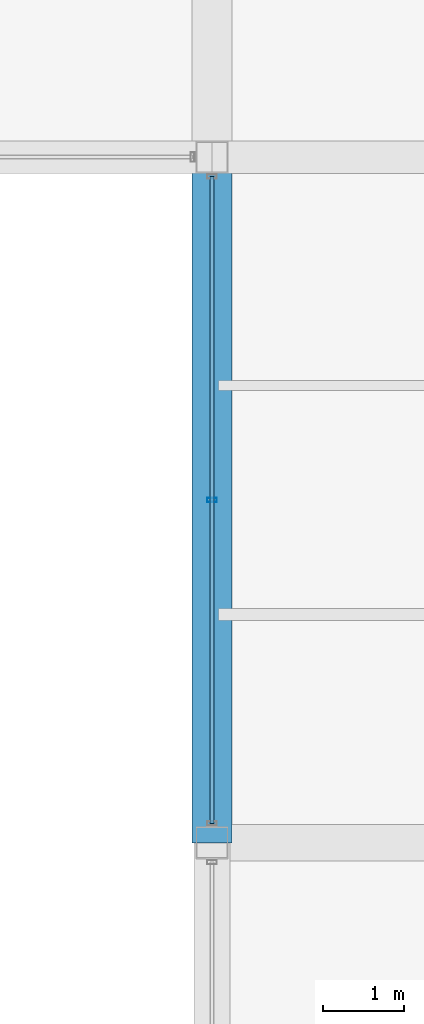
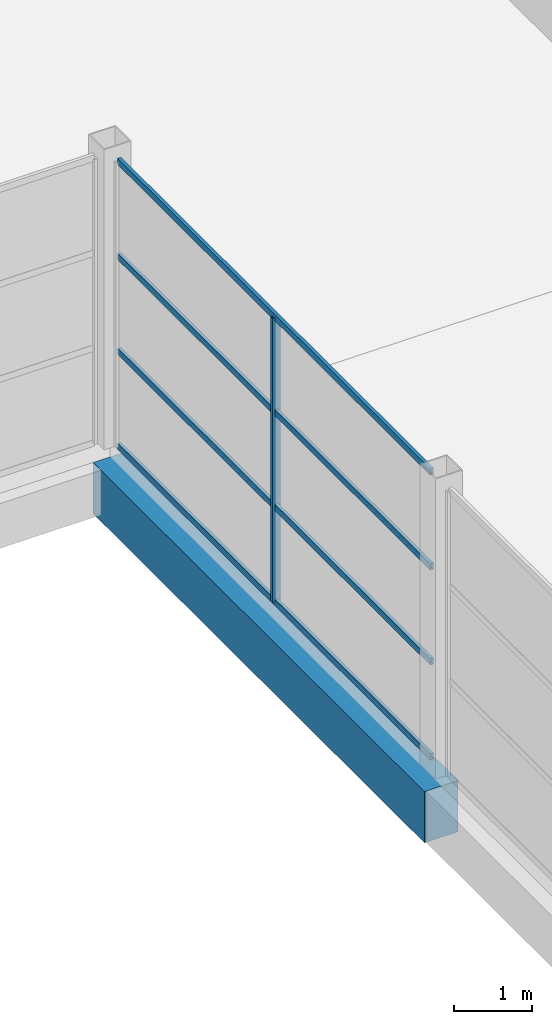
# One storey, part 77 of 112: 5 members, 1 beam, 1 element without a shape of its own.
"""IFC4 building model written with IfcOpenShell, lengths in metres."""

import ifcopenshell
import ifcopenshell.guid

model = None  # the IFC model being written
_history = None  # IfcOwnerHistory: only IFC2X3 demands one
_inside = {}  # id of a spatial element -> (the spatial element, [elements in it])
_under = {}  # id of a project, library or spatial element -> (it, [spatial elements below it])
_declared = {}  # id of a project -> (the project, [libraries it declares])
_typed = {}  # id of a type object -> (the type object, [elements of that type])
_made_of = {}  # id of a material, layer set ... -> (it, [elements and type objects made of it])


def new_model(schema):
    """Start an empty IFC model of exactly this schema.

    Asked for "IFC4X3", IfcOpenShell would pick the latest addendum, in which some entities
    have other attributes; the version numbers below select the first issue.
    IFC2X3 requires an IfcOwnerHistory on every rooted entity: one is made here for all.
    """
    global model, _history
    if schema == "IFC4X3":
        model = ifcopenshell.file(schema_version=(4, 3, 0, 0))
    else:
        model = ifcopenshell.file(schema=schema)
    _inside.clear()
    _under.clear()
    _declared.clear()
    _typed.clear()
    _made_of.clear()
    _history = None
    if model.schema == "IFC2X3":
        org = make("IfcOrganization", Name="unknown")
        user = make(
            "IfcPersonAndOrganization",
            ThePerson=make("IfcPerson", FamilyName="unknown"),
            TheOrganization=org,
        )
        app = make(
            "IfcApplication",
            ApplicationDeveloper=org,
            Version="unknown",
            ApplicationFullName="unknown",
            ApplicationIdentifier="unknown",
        )
        _history = make(
            "IfcOwnerHistory",
            OwningUser=user,
            OwningApplication=app,
            ChangeAction="ADDED",
            CreationDate=0,
        )
    return model


def make(cls, **values):
    """One entity of the class cls with the attributes given. An attribute that is None is left unset."""
    return model.create_entity(
        cls, **{name: value for name, value in values.items() if value is not None}
    )


def rooted(cls, **values):
    """An entity with a GlobalId (a new one), such as an element, a storey or a relation."""
    return make(cls, GlobalId=ifcopenshell.guid.new(), OwnerHistory=_history, **values)


def si_unit(unit_type, name, prefix=None):
    """IfcSIUnit, for example si_unit("LENGTHUNIT", "METRE", prefix="MILLI")."""
    return make("IfcSIUnit", UnitType=unit_type, Prefix=prefix, Name=name)


def assignment(units):
    """IfcUnitAssignment: the units of a project."""
    return None if units is None else make("IfcUnitAssignment", Units=units)


def point(xyz):
    """IfcCartesianPoint."""
    return None if xyz is None else make("IfcCartesianPoint", Coordinates=xyz)


def direction(xyz):
    """IfcDirection."""
    return None if xyz is None else make("IfcDirection", DirectionRatios=xyz)


def frame(location, z_axis=None, x_axis=None):
    """IfcAxis2Placement3D, a coordinate frame: its origin and axes. An axis left out is left unset."""
    return make(
        "IfcAxis2Placement3D",
        Location=point(location),
        Axis=direction(z_axis),
        RefDirection=direction(x_axis),
    )


def frame_2d(location, x_axis=None):
    """IfcAxis2Placement2D, a coordinate frame in the plane: its origin and x axis."""
    return make(
        "IfcAxis2Placement2D", Location=point(location), RefDirection=direction(x_axis)
    )


def origin():
    """The frame at (0, 0, 0) with its axes left unset."""
    return frame((0.0, 0.0, 0.0))


def origin_2d():
    """The frame at (0, 0) in the plane with its x axis left unset."""
    return frame_2d((0.0, 0.0))


def place(relative_to, where):
    """IfcLocalPlacement: puts the frame where relative to a parent placement (None: the world)."""
    return make(
        "IfcLocalPlacement", PlacementRelTo=relative_to, RelativePlacement=where
    )


def context(
    kind, dimensions, precision=None, world=None, true_north=None, identifier=None
):
    """IfcGeometricRepresentationContext, for example the 3D "Model" context."""
    return make(
        "IfcGeometricRepresentationContext",
        ContextIdentifier=identifier,
        ContextType=kind,
        CoordinateSpaceDimension=dimensions,
        Precision=precision,
        WorldCoordinateSystem=world,
        TrueNorth=true_north,
    )


def subcontext(parent, identifier, kind, view, scale=None):
    """IfcGeometricRepresentationSubContext, for example "Body" below "Model"."""
    return make(
        "IfcGeometricRepresentationSubContext",
        ContextIdentifier=identifier,
        ContextType=kind,
        ParentContext=parent,
        TargetScale=scale,
        TargetView=view,
    )


def project(units=None, contexts=None):
    """IfcProject with its units and contexts."""
    return rooted(
        "IfcProject",
        Name="project",
        RepresentationContexts=contexts,
        UnitsInContext=assignment(units),
    )


def spatial(cls, under=None, at=None, **own):
    """A site, building, storey or space (cls), placed at a placement, below another one or the project."""
    s = rooted(cls, ObjectPlacement=at, **own)
    if under is not None:
        _under.setdefault(under.id(), (under, []))[1].append(s)
    return s


def profile(cls, at=None, kind="AREA", **sizes):
    """A parametric profile (cls). Its sizes go by their IFC names, for example OverallWidth=200.0."""
    return make(cls, ProfileType=kind, Position=at, **sizes)


def rectangle(**sizes):
    """IfcRectangleProfileDef."""
    return profile("IfcRectangleProfileDef", **sizes)


def hollow_rectangle(**sizes):
    """IfcRectangleHollowProfileDef."""
    return profile("IfcRectangleHollowProfileDef", **sizes)


def extrude(swept, where, along, depth):
    """IfcExtrudedAreaSolid: the profile swept, set in the frame where, extruded along a direction by depth."""
    return make(
        "IfcExtrudedAreaSolid",
        SweptArea=swept,
        Position=where,
        ExtrudedDirection=direction(along),
        Depth=depth,
    )


def shape(context_of_items, identifier, shape_type, items):
    """IfcShapeRepresentation: the items that make up one representation, for example the "Body"."""
    return make(
        "IfcShapeRepresentation",
        ContextOfItems=context_of_items,
        RepresentationIdentifier=identifier,
        RepresentationType=shape_type,
        Items=items,
    )


def material(Name=None, Category=None):
    """IfcMaterial."""
    return make("IfcMaterial", Name=Name, Category=Category)


def material_profile(
    of_material, cross_section, Name=None, Category=None, Priority=None
):
    """IfcMaterialProfile: a cross section and its material."""
    return make(
        "IfcMaterialProfile",
        Name=Name,
        Material=of_material,
        Profile=cross_section,
        Priority=Priority,
        Category=Category,
    )


def profile_set(profiles, Name=None, composite=None):
    """IfcMaterialProfileSet."""
    return make(
        "IfcMaterialProfileSet",
        Name=Name,
        MaterialProfiles=profiles,
        CompositeProfile=composite,
    )


def made_of(thing, what):
    """Note that an element or type object is made of a material, layer set ...; save() writes the relation."""
    if what is not None:
        _made_of.setdefault(what.id(), (what, []))[1].append(thing)
    return thing


def type_object(cls, material=None, **own):
    """A type object (cls), such as IfcWallType, which elements share."""
    return made_of(rooted(cls, **own), material)


def element(
    cls,
    number,
    at=None,
    inside=None,
    cuts=None,
    type_object=None,
    material=None,
    context=None,
    identifier="Body",
    shape_type=None,
    held_by="IfcProductDefinitionShape",
    body=None,
    shapes=None,
    **own,
):
    """One element of the class cls, such as IfcWall. Its Tag is "e" and its number.

    at: its placement. inside: the storey or other place that contains it. cuts: it is an
    opening in that element (IfcRelVoidsElement). A single representation is given by context,
    identifier, shape_type and body (its items); several are given by shapes. held_by: the class
    of the entity that holds the representations. save() writes the other relations.
    """
    e = rooted(cls, Tag="e%d" % number, ObjectPlacement=at, **own)
    if body is not None:
        shapes = [shape(context, identifier, shape_type, body)]
    if shapes is not None:
        e.Representation = make(held_by, Representations=shapes)
    if inside is not None:
        _inside.setdefault(inside.id(), (inside, []))[1].append(e)
    if cuts is not None:
        rooted(
            "IfcRelVoidsElement", RelatingBuildingElement=cuts, RelatedOpeningElement=e
        )
    if type_object is not None:
        _typed.setdefault(type_object.id(), (type_object, []))[1].append(e)
    return made_of(e, material)


def aggregate(whole, parts):
    """IfcRelAggregates: a whole, such as a stair, and the parts it consists of."""
    return rooted("IfcRelAggregates", RelatingObject=whole, RelatedObjects=parts)


def save(model, path):
    """Write the relations noted so far, then the file.

    IfcRelAggregates (storeys below a building ...), IfcRelContainedInSpatialStructure (elements
    in a storey), IfcRelDefinesByType, IfcRelAssociatesMaterial and IfcRelDeclares: one each for
    every whole, place, type object, material and project.
    """
    for whole, parts in _under.values():
        aggregate(whole, parts)
    for where, things in _inside.values():
        rooted(
            "IfcRelContainedInSpatialStructure",
            RelatedElements=things,
            RelatingStructure=where,
        )
    for kind, things in _typed.values():
        rooted("IfcRelDefinesByType", RelatedObjects=things, RelatingType=kind)
    for what, things in _made_of.values():
        rooted("IfcRelAssociatesMaterial", RelatedObjects=things, RelatingMaterial=what)
    for by, libraries in _declared.values():
        rooted("IfcRelDeclares", RelatingContext=by, RelatedDefinitions=libraries)
    model.write(path)


model = new_model("IFC4")

# Units and contexts
model_context = context("Model", 3, precision=1e-05, world=origin(), true_north=direction((0.0, 1.0)))
body_context = subcontext(model_context, "Body", "Model", "MODEL_VIEW")
ifc_project = project(units=[si_unit("LENGTHUNIT", "METRE"), si_unit("AREAUNIT", "SQUARE_METRE"), si_unit("VOLUMEUNIT", "CUBIC_METRE"), si_unit("PLANEANGLEUNIT", "RADIAN"), si_unit("MASSUNIT", "GRAM", prefix="KILO")], contexts=[model_context])

# Site, building, storey
site_placement = place(None, origin())
site = spatial("IfcSite", under=ifc_project, at=site_placement, CompositionType="ELEMENT")
building_placement = place(site_placement, origin())
building = spatial("IfcBuilding", under=site, at=building_placement, Name="Solvikara Media Centre", CompositionType="ELEMENT")
storey_placement = place(building_placement, frame((0.0, 0.0, 5.39990234375)))
storey = spatial("IfcBuildingStorey", under=building, at=storey_placement, Name="L01", CompositionType="ELEMENT", Elevation=5.39990234375)

# Beam
ifc_material_1 = material(Name="Concrete fc' 35 MPa (C35/45)", Category="concrete")
ifc_material_profile_1 = material_profile(ifc_material_1, rectangle(XDim=0.5, YDim=0.800048828125, at=origin_2d()), Name="RC 500x800")
ifc_profile_set_1 = profile_set([ifc_material_profile_1], Name="Concrete fc' 35 MPa (C35/45)")
beam_type = type_object("IfcBeamType", Name="BM-07", PredefinedType="BEAM", material=ifc_profile_set_1)
beam_placement = place(storey_placement, frame((154.5, 80.5, -0.699951171875), z_axis=(0.0, 1.0, 0.0), x_axis=(-1.0, 0.0, 0.0)))
element("IfcBeam", 1, at=beam_placement, inside=storey, type_object=beam_type, Name="B-L01-Y0631", PredefinedType="BEAM", context=body_context, shape_type="SweptSolid", body=[
    extrude(rectangle(XDim=0.5, YDim=0.800048828125, at=origin_2d()), origin(), (0.0, 0.0, 1.0), 8.5),
])

# Curtain wall, members
ifc_material_2 = material(Name="Anodised aluminium EN AW-6063", Category="aluminium")
curtain_wall_type = type_object("IfcCurtainWallType", Name="CW-12", PredefinedType="NOTDEFINED", material=ifc_material_2)
curtain_wall_placement = place(storey_placement, origin())
curtain_wall = element("IfcCurtainWall", 2, at=curtain_wall_placement, inside=storey, type_object=curtain_wall_type, Name="CW-L01-CRT-2-S2", PredefinedType="NOTDEFINED")
ifc_material_profile_2 = material_profile(ifc_material_2, hollow_rectangle(XDim=0.050048828125, YDim=0.1201171875, WallThickness=0.0029296875, at=origin_2d()), Name="ALU-M 50x120x3")
ifc_profile_set_2 = profile_set([ifc_material_profile_2], Name="Anodised aluminium EN AW-6063")
member_type_1 = type_object("IfcMemberType", Name="MF-06", PredefinedType="MULLION", material=ifc_profile_set_2)
member_1_placement = place(storey_placement, frame((154.5, 84.75, 0.02001953125), z_axis=(0.0, 0.0, 1.0), x_axis=(0.0, 1.0, 0.0)))
member_1 = element("IfcMember", 3, at=member_1_placement, type_object=member_type_1, Name="CW-L01-CRT-2-S2-M01", PredefinedType="MULLION", context=body_context, shape_type="SweptSolid", body=[
    extrude(hollow_rectangle(XDim=0.050048828125, YDim=0.1201171875, WallThickness=0.0029296875, at=origin_2d()), origin(), (0.0, 0.0, 1.0), 4.4599609375),
])
ifc_material_profile_3 = material_profile(ifc_material_2, hollow_rectangle(XDim=0.050048828125, YDim=0.10009765625, WallThickness=0.0029296875, at=origin_2d()), Name="ALU-T 50x100x3")
ifc_profile_set_3 = profile_set([ifc_material_profile_3], Name="Anodised aluminium EN AW-6063")
member_type_2 = type_object("IfcMemberType", Name="MF-12", PredefinedType="USERDEFINED", material=ifc_profile_set_3)
member_2_placement = place(storey_placement, frame((154.5, 80.739990234375, 0.02001953125), z_axis=(0.0, 1.0, 0.0), x_axis=(-1.0, 0.0, 0.0)))
member_2 = element("IfcMember", 4, at=member_2_placement, type_object=member_type_2, Name="CW-L01-CRT-2-S2-T00", ObjectType="TRANSOM", PredefinedType="USERDEFINED", context=body_context, shape_type="SweptSolid", body=[
    extrude(hollow_rectangle(XDim=0.050048828125, YDim=0.10009765625, WallThickness=0.0029296875, at=origin_2d()), origin(), (0.0, 0.0, 1.0), 8.02001953125),
])
member_3_placement = place(storey_placement, frame((154.5, 80.739990234375, 1.507080078125), z_axis=(0.0, 1.0, 0.0), x_axis=(-1.0, 0.0, 0.0)))
member_3 = element("IfcMember", 5, at=member_3_placement, type_object=member_type_2, Name="CW-L01-CRT-2-S2-T01", ObjectType="TRANSOM", PredefinedType="USERDEFINED", context=body_context, shape_type="SweptSolid", body=[
    extrude(hollow_rectangle(XDim=0.050048828125, YDim=0.10009765625, WallThickness=0.0029296875, at=origin_2d()), origin(), (0.0, 0.0, 1.0), 8.02001953125),
])
member_4_placement = place(storey_placement, frame((154.5, 80.739990234375, 2.9931640625), z_axis=(0.0, 1.0, 0.0), x_axis=(-1.0, 0.0, 0.0)))
member_4 = element("IfcMember", 6, at=member_4_placement, type_object=member_type_2, Name="CW-L01-CRT-2-S2-T02", ObjectType="TRANSOM", PredefinedType="USERDEFINED", context=body_context, shape_type="SweptSolid", body=[
    extrude(hollow_rectangle(XDim=0.050048828125, YDim=0.10009765625, WallThickness=0.0029296875, at=origin_2d()), origin(), (0.0, 0.0, 1.0), 8.02001953125),
])
member_5_placement = place(storey_placement, frame((154.5, 80.739990234375, 4.47998046875), z_axis=(0.0, 1.0, 0.0), x_axis=(-1.0, 0.0, 0.0)))
member_5 = element("IfcMember", 7, at=member_5_placement, type_object=member_type_2, Name="CW-L01-CRT-2-S2-T03", ObjectType="TRANSOM", PredefinedType="USERDEFINED", context=body_context, shape_type="SweptSolid", body=[
    extrude(hollow_rectangle(XDim=0.050048828125, YDim=0.10009765625, WallThickness=0.0029296875, at=origin_2d()), origin(), (0.0, 0.0, 1.0), 8.02001953125),
])
aggregate(curtain_wall, [member_1, member_2, member_3, member_4, member_5])

save(model, "model.ifc")
